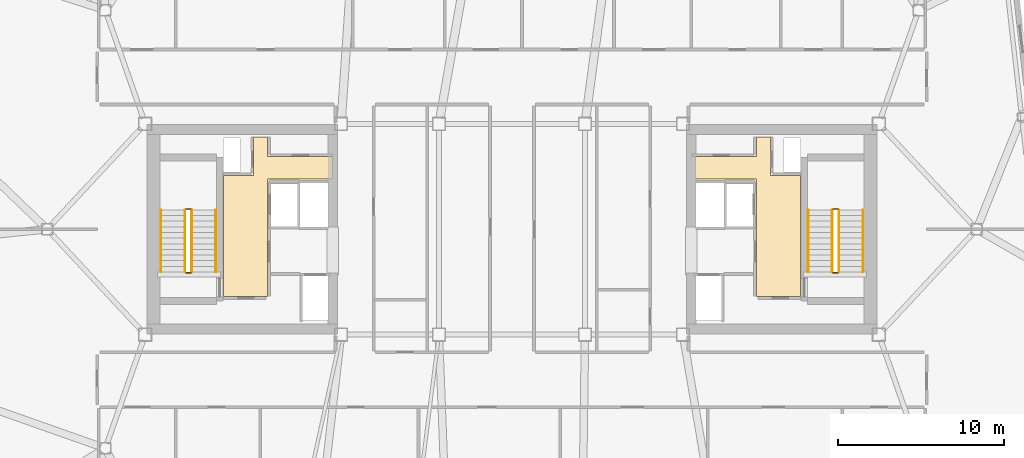
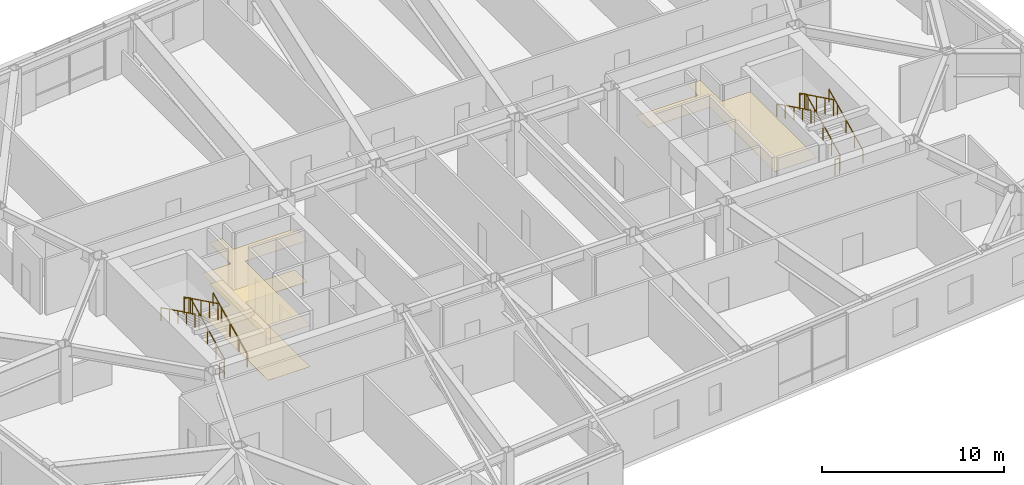
# One storey, part 18 of 18: 12 railings, 3 coverings.
"""IFC4 building model written with IfcOpenShell, lengths in metres."""

import ifcopenshell
import ifcopenshell.guid

model = None  # the IFC model being written
_history = None  # IfcOwnerHistory: only IFC2X3 demands one
_inside = {}  # id of a spatial element -> (the spatial element, [elements in it])
_under = {}  # id of a project, library or spatial element -> (it, [spatial elements below it])
_declared = {}  # id of a project -> (the project, [libraries it declares])
_typed = {}  # id of a type object -> (the type object, [elements of that type])
_made_of = {}  # id of a material, layer set ... -> (it, [elements and type objects made of it])


def new_model(schema):
    """Start an empty IFC model of exactly this schema.

    Asked for "IFC4X3", IfcOpenShell would pick the latest addendum, in which some entities
    have other attributes; the version numbers below select the first issue.
    IFC2X3 requires an IfcOwnerHistory on every rooted entity: one is made here for all.
    """
    global model, _history
    if schema == "IFC4X3":
        model = ifcopenshell.file(schema_version=(4, 3, 0, 0))
    else:
        model = ifcopenshell.file(schema=schema)
    _inside.clear()
    _under.clear()
    _declared.clear()
    _typed.clear()
    _made_of.clear()
    _history = None
    if model.schema == "IFC2X3":
        org = make("IfcOrganization", Name="unknown")
        user = make(
            "IfcPersonAndOrganization",
            ThePerson=make("IfcPerson", FamilyName="unknown"),
            TheOrganization=org,
        )
        app = make(
            "IfcApplication",
            ApplicationDeveloper=org,
            Version="unknown",
            ApplicationFullName="unknown",
            ApplicationIdentifier="unknown",
        )
        _history = make(
            "IfcOwnerHistory",
            OwningUser=user,
            OwningApplication=app,
            ChangeAction="ADDED",
            CreationDate=0,
        )
    return model


def make(cls, **values):
    """One entity of the class cls with the attributes given. An attribute that is None is left unset."""
    return model.create_entity(
        cls, **{name: value for name, value in values.items() if value is not None}
    )


def rooted(cls, **values):
    """An entity with a GlobalId (a new one), such as an element, a storey or a relation."""
    return make(cls, GlobalId=ifcopenshell.guid.new(), OwnerHistory=_history, **values)


def si_unit(unit_type, name, prefix=None):
    """IfcSIUnit, for example si_unit("LENGTHUNIT", "METRE", prefix="MILLI")."""
    return make("IfcSIUnit", UnitType=unit_type, Prefix=prefix, Name=name)


def assignment(units):
    """IfcUnitAssignment: the units of a project."""
    return None if units is None else make("IfcUnitAssignment", Units=units)


def point(xyz):
    """IfcCartesianPoint."""
    return None if xyz is None else make("IfcCartesianPoint", Coordinates=xyz)


def direction(xyz):
    """IfcDirection."""
    return None if xyz is None else make("IfcDirection", DirectionRatios=xyz)


def frame(location, z_axis=None, x_axis=None):
    """IfcAxis2Placement3D, a coordinate frame: its origin and axes. An axis left out is left unset."""
    return make(
        "IfcAxis2Placement3D",
        Location=point(location),
        Axis=direction(z_axis),
        RefDirection=direction(x_axis),
    )


def frame_2d(location, x_axis=None):
    """IfcAxis2Placement2D, a coordinate frame in the plane: its origin and x axis."""
    return make(
        "IfcAxis2Placement2D", Location=point(location), RefDirection=direction(x_axis)
    )


def origin():
    """The frame at (0, 0, 0) with its axes left unset."""
    return frame((0.0, 0.0, 0.0))


def origin_2d():
    """The frame at (0, 0) in the plane with its x axis left unset."""
    return frame_2d((0.0, 0.0))


def place(relative_to, where):
    """IfcLocalPlacement: puts the frame where relative to a parent placement (None: the world)."""
    return make(
        "IfcLocalPlacement", PlacementRelTo=relative_to, RelativePlacement=where
    )


def context(
    kind, dimensions, precision=None, world=None, true_north=None, identifier=None
):
    """IfcGeometricRepresentationContext, for example the 3D "Model" context."""
    return make(
        "IfcGeometricRepresentationContext",
        ContextIdentifier=identifier,
        ContextType=kind,
        CoordinateSpaceDimension=dimensions,
        Precision=precision,
        WorldCoordinateSystem=world,
        TrueNorth=true_north,
    )


def subcontext(parent, identifier, kind, view, scale=None):
    """IfcGeometricRepresentationSubContext, for example "Body" below "Model"."""
    return make(
        "IfcGeometricRepresentationSubContext",
        ContextIdentifier=identifier,
        ContextType=kind,
        ParentContext=parent,
        TargetScale=scale,
        TargetView=view,
    )


def project(units=None, contexts=None):
    """IfcProject with its units and contexts."""
    return rooted(
        "IfcProject",
        Name="project",
        RepresentationContexts=contexts,
        UnitsInContext=assignment(units),
    )


def spatial(cls, under=None, at=None, **own):
    """A site, building, storey or space (cls), placed at a placement, below another one or the project."""
    s = rooted(cls, ObjectPlacement=at, **own)
    if under is not None:
        _under.setdefault(under.id(), (under, []))[1].append(s)
    return s


def polyline(points):
    """IfcPolyline through the points."""
    return make("IfcPolyline", Points=[point(p) for p in points])


def profile(cls, at=None, kind="AREA", **sizes):
    """A parametric profile (cls). Its sizes go by their IFC names, for example OverallWidth=200.0."""
    return make(cls, ProfileType=kind, Position=at, **sizes)


def rectangle(**sizes):
    """IfcRectangleProfileDef."""
    return profile("IfcRectangleProfileDef", **sizes)


def outline(outer, holes=None, kind="AREA"):
    """IfcArbitraryClosedProfileDef: a profile drawn as a closed curve; with holes, ...WithVoids."""
    if holes is None:
        return make("IfcArbitraryClosedProfileDef", ProfileType=kind, OuterCurve=outer)
    return make(
        "IfcArbitraryProfileDefWithVoids",
        ProfileType=kind,
        OuterCurve=outer,
        InnerCurves=holes,
    )


def extrude(swept, where, along, depth):
    """IfcExtrudedAreaSolid: the profile swept, set in the frame where, extruded along a direction by depth."""
    return make(
        "IfcExtrudedAreaSolid",
        SweptArea=swept,
        Position=where,
        ExtrudedDirection=direction(along),
        Depth=depth,
    )


def shape(context_of_items, identifier, shape_type, items):
    """IfcShapeRepresentation: the items that make up one representation, for example the "Body"."""
    return make(
        "IfcShapeRepresentation",
        ContextOfItems=context_of_items,
        RepresentationIdentifier=identifier,
        RepresentationType=shape_type,
        Items=items,
    )


def material(Name=None, Category=None):
    """IfcMaterial."""
    return make("IfcMaterial", Name=Name, Category=Category)


def layer(
    of_material, thickness, ventilated=None, Name=None, Category=None, Priority=None
):
    """IfcMaterialLayer: one layer of a wall or slab, of a material (None: an air gap)."""
    return make(
        "IfcMaterialLayer",
        Material=of_material,
        LayerThickness=thickness,
        IsVentilated=ventilated,
        Name=Name,
        Category=Category,
        Priority=Priority,
    )


def layer_set(layers, Name=None):
    """IfcMaterialLayerSet."""
    return make("IfcMaterialLayerSet", MaterialLayers=layers, LayerSetName=Name)


def made_of(thing, what):
    """Note that an element or type object is made of a material, layer set ...; save() writes the relation."""
    if what is not None:
        _made_of.setdefault(what.id(), (what, []))[1].append(thing)
    return thing


def type_object(cls, material=None, **own):
    """A type object (cls), such as IfcWallType, which elements share."""
    return made_of(rooted(cls, **own), material)


def element(
    cls,
    number,
    at=None,
    inside=None,
    cuts=None,
    type_object=None,
    material=None,
    context=None,
    identifier="Body",
    shape_type=None,
    held_by="IfcProductDefinitionShape",
    body=None,
    shapes=None,
    **own,
):
    """One element of the class cls, such as IfcWall. Its Tag is "e" and its number.

    at: its placement. inside: the storey or other place that contains it. cuts: it is an
    opening in that element (IfcRelVoidsElement). A single representation is given by context,
    identifier, shape_type and body (its items); several are given by shapes. held_by: the class
    of the entity that holds the representations. save() writes the other relations.
    """
    e = rooted(cls, Tag="e%d" % number, ObjectPlacement=at, **own)
    if body is not None:
        shapes = [shape(context, identifier, shape_type, body)]
    if shapes is not None:
        e.Representation = make(held_by, Representations=shapes)
    if inside is not None:
        _inside.setdefault(inside.id(), (inside, []))[1].append(e)
    if cuts is not None:
        rooted(
            "IfcRelVoidsElement", RelatingBuildingElement=cuts, RelatedOpeningElement=e
        )
    if type_object is not None:
        _typed.setdefault(type_object.id(), (type_object, []))[1].append(e)
    return made_of(e, material)


def aggregate(whole, parts):
    """IfcRelAggregates: a whole, such as a stair, and the parts it consists of."""
    return rooted("IfcRelAggregates", RelatingObject=whole, RelatedObjects=parts)


def save(model, path):
    """Write the relations noted so far, then the file.

    IfcRelAggregates (storeys below a building ...), IfcRelContainedInSpatialStructure (elements
    in a storey), IfcRelDefinesByType, IfcRelAssociatesMaterial and IfcRelDeclares: one each for
    every whole, place, type object, material and project.
    """
    for whole, parts in _under.values():
        aggregate(whole, parts)
    for where, things in _inside.values():
        rooted(
            "IfcRelContainedInSpatialStructure",
            RelatedElements=things,
            RelatingStructure=where,
        )
    for kind, things in _typed.values():
        rooted("IfcRelDefinesByType", RelatedObjects=things, RelatingType=kind)
    for what, things in _made_of.values():
        rooted("IfcRelAssociatesMaterial", RelatedObjects=things, RelatingMaterial=what)
    for by, libraries in _declared.values():
        rooted("IfcRelDeclares", RelatingContext=by, RelatedDefinitions=libraries)
    model.write(path)


model = new_model("IFC4")

# Units and contexts
model_context = context("Model", 3, precision=1e-05, world=origin(), true_north=direction((0.0, 1.0)))
body_context = subcontext(model_context, "Body", "Model", "MODEL_VIEW")
ifc_project = project(units=[si_unit("LENGTHUNIT", "METRE"), si_unit("AREAUNIT", "SQUARE_METRE"), si_unit("VOLUMEUNIT", "CUBIC_METRE"), si_unit("PLANEANGLEUNIT", "RADIAN"), si_unit("MASSUNIT", "GRAM", prefix="KILO")], contexts=[model_context])

# Site, building, storey
site_placement = place(None, origin())
site = spatial("IfcSite", under=ifc_project, at=site_placement, CompositionType="ELEMENT")
building_placement = place(site_placement, origin())
building = spatial("IfcBuilding", under=site, at=building_placement, Name="Tavrogorsk Clinical Tower", CompositionType="ELEMENT")
storey_placement = place(building_placement, frame((0.0, 0.0, 226.199951171875)))
storey = spatial("IfcBuildingStorey", under=building, at=storey_placement, Name="L52", CompositionType="ELEMENT", Elevation=226.199951171875)

# Coverings
ifc_material_1 = material(Name="Antibacterial micro-perforated aluminium ceiling", Category="aluminium")
ifc_layer_1 = layer(ifc_material_1, 0.014892578125)
ifc_layer_set_1 = layer_set([ifc_layer_1], Name="Antibacterial micro-perforated aluminium ceiling")
covering_type_1 = type_object("IfcCoveringType", Name="ClinicalCeiling_15", PredefinedType="CEILING", material=ifc_layer_set_1)
covering_1_placement = place(storey_placement, frame((0.0, 0.0, 2.75)))
element("IfcCovering", 1, at=covering_1_placement, inside=storey, type_object=covering_type_1, Name="Core West Firefighting Lift Lobby Acoustic Ceiling", PredefinedType="CEILING", context=body_context, shape_type="SweptSolid", body=[
    extrude(outline(polyline([(-14.719970703125, 4.3798828125), (-10.800048828125, 4.3798828125), (-10.800048828125, 3.0400390625), (-14.719970703125, 3.0400390625), (-14.719970703125, -4.06005859375), (-17.3798828125, -4.06005859375), (-17.3798828125, 3.239990234375), (-15.56005859375, 3.239990234375), (-15.56005859375, 5.56005859375), (-14.719970703125, 5.56005859375), (-14.719970703125, 4.3798828125)])), origin(), (0.0, 0.0, 1.0), 0.01513671875),
])
covering_2_placement = place(storey_placement, frame((0.0, 0.0, 2.75)))
element("IfcCovering", 2, at=covering_2_placement, inside=storey, type_object=covering_type_1, Name="Core East Firefighting Lift Lobby Acoustic Ceiling", PredefinedType="CEILING", context=body_context, shape_type="SweptSolid", body=[
    extrude(outline(polyline([(14.719970703125, -4.06005859375), (14.719970703125, 3.0400390625), (10.800048828125, 3.0400390625), (10.800048828125, 4.3798828125), (14.719970703125, 4.3798828125), (14.719970703125, 5.56005859375), (15.56005859375, 5.56005859375), (15.56005859375, 3.239990234375), (17.3798828125, 3.239990234375), (17.3798828125, -4.06005859375), (14.719970703125, -4.06005859375)])), origin(), (0.0, 0.0, 1.0), 0.01513671875),
])
ifc_material_2 = material(Name="Homogeneous medical conductive PVC flooring")
ifc_layer_2 = layer(ifc_material_2, 0.008056640625)
ifc_layer_set_2 = layer_set([ifc_layer_2], Name="Homogeneous medical conductive PVC flooring")
covering_type_2 = type_object("IfcCoveringType", Name="ResilientVinylFloor_8", PredefinedType="FLOORING", material=ifc_layer_set_2)
covering_3_placement = place(storey_placement, origin())
element("IfcCovering", 3, at=covering_3_placement, inside=storey, type_object=covering_type_2, Name="Core West Firefighting Lift Lobby Conductive Vinyl Flooring", PredefinedType="FLOORING", context=body_context, shape_type="SweptSolid", body=[
    extrude(outline(polyline([(-14.719970703125, 4.3798828125), (-10.800048828125, 4.3798828125), (-10.800048828125, 3.0400390625), (-14.719970703125, 3.0400390625), (-14.719970703125, -4.06005859375), (-17.3798828125, -4.06005859375), (-17.3798828125, 3.239990234375), (-15.56005859375, 3.239990234375), (-15.56005859375, 5.56005859375), (-14.719970703125, 5.56005859375), (-14.719970703125, 4.3798828125)])), origin(), (0.0, 0.0, 1.0), 0.008056640625),
])

# Railings
ifc_material_3 = material(Name="Galvanised steel S355 safety stairwell guard", Category="steel")
ifc_layer_3 = layer(ifc_material_3, 0.06005859375)
ifc_layer_set_3 = layer_set([ifc_layer_3], Name="Galvanised steel S355 safety stairwell guard")
railing_type_1 = type_object("IfcRailingType", Name="StairGuard_1150", PredefinedType="GUARDRAIL", material=ifc_layer_set_3)
railing_1_placement = place(storey_placement, frame((-19.300048828125, -2.574951171875, 0.166748046875)))
element("IfcRailing", 4, at=railing_1_placement, inside=storey, type_object=railing_type_1, Name="L52 ST-W stair guard 1", PredefinedType="GUARDRAIL", context=body_context, shape_type="SweptSolid", body=[
    extrude(rectangle(XDim=0.048095703125, YDim=0.048095703125, at=origin_2d()), frame((0.0, 0.0, 1.076171875), z_axis=(0.0, 0.897927990467, 0.440142390523), x_axis=(-1.0, 0.0, 0.0)), (0.0, 0.0, 1.0), 4.1650390625),
    extrude(rectangle(XDim=0.0419921875, YDim=0.0419921875, at=origin_2d()), origin(), (0.0, 0.0, 1.0), 1.052001953125),
    extrude(rectangle(XDim=0.0419921875, YDim=0.0419921875, at=origin_2d()), frame((0.0, 0.93505859375, 0.458251953125)), (0.0, 0.0, 1.0), 1.052001953125),
    extrude(rectangle(XDim=0.0419921875, YDim=0.0419921875, at=origin_2d()), frame((0.0, 1.8701171875, 0.91650390625)), (0.0, 0.0, 1.0), 1.052001953125),
    extrude(rectangle(XDim=0.0419921875, YDim=0.0419921875, at=origin_2d()), frame((0.0, 2.804931640625, 1.375)), (0.0, 0.0, 1.0), 1.052001953125),
    extrude(rectangle(XDim=0.0419921875, YDim=0.0419921875, at=origin_2d()), frame((0.0, 3.739990234375, 1.833251953125)), (0.0, 0.0, 1.0), 1.052001953125),
])
railing_2_placement = place(storey_placement, frame((-19.35009765625, 1.215087890625, 2.0)))
element("IfcRailing", 5, at=railing_2_placement, inside=storey, type_object=railing_type_1, Name="L52 ST-W stair guard 2", PredefinedType="GUARDRAIL", context=body_context, shape_type="SweptSolid", body=[
    extrude(rectangle(XDim=0.048095703125, YDim=0.048095703125, at=origin_2d()), frame((0.0, 0.0, 1.076171875), z_axis=(-1.0, 0.0, 0.0), x_axis=(0.0, -1.0, 0.0)), (0.0, 0.0, 1.0), 0.2998046875),
    extrude(rectangle(XDim=0.0419921875, YDim=0.0419921875, at=origin_2d()), origin(), (0.0, 0.0, 1.0), 1.052001953125),
    extrude(rectangle(XDim=0.0419921875, YDim=0.0419921875, at=origin_2d()), frame((-0.2998046875, 0.0, 0.0)), (0.0, 0.0, 1.0), 1.052001953125),
])
railing_3_placement = place(storey_placement, frame((-19.699951171875, 1.1650390625, 2.166748046875)))
element("IfcRailing", 6, at=railing_3_placement, inside=storey, type_object=railing_type_1, Name="L52 ST-W stair guard 3", PredefinedType="GUARDRAIL", context=body_context, shape_type="SweptSolid", body=[
    extrude(rectangle(XDim=0.048095703125, YDim=0.048095703125, at=origin_2d()), frame((0.0, 0.0, 1.076171875), z_axis=(0.0, -0.897927990467, 0.440142390523), x_axis=(1.0, 0.0, 0.0)), (0.0, 0.0, 1.0), 4.1650390625),
    extrude(rectangle(XDim=0.0419921875, YDim=0.0419921875, at=origin_2d()), origin(), (0.0, 0.0, 1.0), 1.052001953125),
    extrude(rectangle(XDim=0.0419921875, YDim=0.0419921875, at=origin_2d()), frame((0.0, -0.93505859375, 0.458251953125)), (0.0, 0.0, 1.0), 1.052001953125),
    extrude(rectangle(XDim=0.0419921875, YDim=0.0419921875, at=origin_2d()), frame((0.0, -1.8701171875, 0.91650390625)), (0.0, 0.0, 1.0), 1.052001953125),
    extrude(rectangle(XDim=0.0419921875, YDim=0.0419921875, at=origin_2d()), frame((0.0, -2.804931640625, 1.375)), (0.0, 0.0, 1.0), 1.052001953125),
    extrude(rectangle(XDim=0.0419921875, YDim=0.0419921875, at=origin_2d()), frame((0.0, -3.739990234375, 1.833251953125)), (0.0, 0.0, 1.0), 1.052001953125),
])
railing_4_placement = place(storey_placement, frame((-19.35009765625, -2.625, 0.0)))
element("IfcRailing", 7, at=railing_4_placement, inside=storey, type_object=railing_type_1, Name="L52 ST-W stair guard 4", PredefinedType="GUARDRAIL", context=body_context, shape_type="SweptSolid", body=[
    extrude(rectangle(XDim=0.048095703125, YDim=0.048095703125, at=origin_2d()), frame((0.0, 0.0, 1.076171875), z_axis=(-1.0, 0.0, 0.0), x_axis=(0.0, -1.0, 0.0)), (0.0, 0.0, 1.0), 0.2998046875),
    extrude(rectangle(XDim=0.0419921875, YDim=0.0419921875, at=origin_2d()), origin(), (0.0, 0.0, 1.0), 1.052001953125),
    extrude(rectangle(XDim=0.0419921875, YDim=0.0419921875, at=origin_2d()), frame((-0.2998046875, 0.0, 0.0)), (0.0, 0.0, 1.0), 1.052001953125),
])
railing_5_placement = place(storey_placement, frame((19.699951171875, -2.574951171875, 0.166748046875)))
element("IfcRailing", 8, at=railing_5_placement, inside=storey, type_object=railing_type_1, Name="L52 ST-E stair guard 1", PredefinedType="GUARDRAIL", context=body_context, shape_type="SweptSolid", body=[
    extrude(rectangle(XDim=0.048095703125, YDim=0.048095703125, at=origin_2d()), frame((0.0, 0.0, 1.076171875), z_axis=(0.0, 0.897927990467, 0.440142390523), x_axis=(-1.0, 0.0, 0.0)), (0.0, 0.0, 1.0), 4.1650390625),
    extrude(rectangle(XDim=0.0419921875, YDim=0.0419921875, at=origin_2d()), origin(), (0.0, 0.0, 1.0), 1.052001953125),
    extrude(rectangle(XDim=0.0419921875, YDim=0.0419921875, at=origin_2d()), frame((0.0, 0.93505859375, 0.458251953125)), (0.0, 0.0, 1.0), 1.052001953125),
    extrude(rectangle(XDim=0.0419921875, YDim=0.0419921875, at=origin_2d()), frame((0.0, 1.8701171875, 0.91650390625)), (0.0, 0.0, 1.0), 1.052001953125),
    extrude(rectangle(XDim=0.0419921875, YDim=0.0419921875, at=origin_2d()), frame((0.0, 2.804931640625, 1.375)), (0.0, 0.0, 1.0), 1.052001953125),
    extrude(rectangle(XDim=0.0419921875, YDim=0.0419921875, at=origin_2d()), frame((0.0, 3.739990234375, 1.833251953125)), (0.0, 0.0, 1.0), 1.052001953125),
])
railing_6_placement = place(storey_placement, frame((19.64990234375, 1.215087890625, 2.0)))
element("IfcRailing", 9, at=railing_6_placement, inside=storey, type_object=railing_type_1, Name="L52 ST-E stair guard 2", PredefinedType="GUARDRAIL", context=body_context, shape_type="SweptSolid", body=[
    extrude(rectangle(XDim=0.048095703125, YDim=0.048095703125, at=origin_2d()), frame((0.0, 0.0, 1.076171875), z_axis=(-1.0, 0.0, 0.0), x_axis=(0.0, -1.0, 0.0)), (0.0, 0.0, 1.0), 0.2998046875),
    extrude(rectangle(XDim=0.0419921875, YDim=0.0419921875, at=origin_2d()), origin(), (0.0, 0.0, 1.0), 1.052001953125),
    extrude(rectangle(XDim=0.0419921875, YDim=0.0419921875, at=origin_2d()), frame((-0.2998046875, 0.0, 0.0)), (0.0, 0.0, 1.0), 1.052001953125),
])
railing_7_placement = place(storey_placement, frame((19.300048828125, 1.1650390625, 2.166748046875)))
element("IfcRailing", 10, at=railing_7_placement, inside=storey, type_object=railing_type_1, Name="L52 ST-E stair guard 3", PredefinedType="GUARDRAIL", context=body_context, shape_type="SweptSolid", body=[
    extrude(rectangle(XDim=0.048095703125, YDim=0.048095703125, at=origin_2d()), frame((0.0, 0.0, 1.076171875), z_axis=(0.0, -0.897927990467, 0.440142390523), x_axis=(1.0, 0.0, 0.0)), (0.0, 0.0, 1.0), 4.1650390625),
    extrude(rectangle(XDim=0.0419921875, YDim=0.0419921875, at=origin_2d()), origin(), (0.0, 0.0, 1.0), 1.052001953125),
    extrude(rectangle(XDim=0.0419921875, YDim=0.0419921875, at=origin_2d()), frame((0.0, -0.93505859375, 0.458251953125)), (0.0, 0.0, 1.0), 1.052001953125),
    extrude(rectangle(XDim=0.0419921875, YDim=0.0419921875, at=origin_2d()), frame((0.0, -1.8701171875, 0.91650390625)), (0.0, 0.0, 1.0), 1.052001953125),
    extrude(rectangle(XDim=0.0419921875, YDim=0.0419921875, at=origin_2d()), frame((0.0, -2.804931640625, 1.375)), (0.0, 0.0, 1.0), 1.052001953125),
    extrude(rectangle(XDim=0.0419921875, YDim=0.0419921875, at=origin_2d()), frame((0.0, -3.739990234375, 1.833251953125)), (0.0, 0.0, 1.0), 1.052001953125),
])
railing_8_placement = place(storey_placement, frame((19.64990234375, -2.625, 0.0)))
element("IfcRailing", 11, at=railing_8_placement, inside=storey, type_object=railing_type_1, Name="L52 ST-E stair guard 4", PredefinedType="GUARDRAIL", context=body_context, shape_type="SweptSolid", body=[
    extrude(rectangle(XDim=0.048095703125, YDim=0.048095703125, at=origin_2d()), frame((0.0, 0.0, 1.076171875), z_axis=(-1.0, 0.0, 0.0), x_axis=(0.0, -1.0, 0.0)), (0.0, 0.0, 1.0), 0.2998046875),
    extrude(rectangle(XDim=0.0419921875, YDim=0.0419921875, at=origin_2d()), origin(), (0.0, 0.0, 1.0), 1.052001953125),
    extrude(rectangle(XDim=0.0419921875, YDim=0.0419921875, at=origin_2d()), frame((-0.2998046875, 0.0, 0.0)), (0.0, 0.0, 1.0), 1.052001953125),
])
ifc_material_4 = material(Name="Stainless steel AISI 304 tubular handrail", Category="steel")
ifc_layer_4 = layer(ifc_material_4, 0.050048828125)
ifc_layer_set_4 = layer_set([ifc_layer_4], Name="Stainless steel AISI 304 tubular handrail")
railing_type_2 = type_object("IfcRailingType", Name="StairHandrail_920", PredefinedType="HANDRAIL", material=ifc_layer_set_4)
railing_9_placement = place(storey_placement, frame((-17.85009765625, -2.574951171875, 0.166748046875)))
element("IfcRailing", 12, at=railing_9_placement, inside=storey, type_object=railing_type_2, Name="L52 ST-W stair handrail 1", PredefinedType="HANDRAIL", context=body_context, shape_type="SweptSolid", body=[
    extrude(rectangle(XDim=0.048095703125, YDim=0.048095703125, at=origin_2d()), frame((0.0, 0.0, 0.8759765625), z_axis=(0.0, 0.897927990467, 0.440142390523), x_axis=(-1.0, 0.0, 0.0)), (0.0, 0.0, 1.0), 4.1650390625),
    extrude(rectangle(XDim=0.0419921875, YDim=0.0419921875, at=origin_2d()), origin(), (0.0, 0.0, 1.0), 0.851806640625),
    extrude(rectangle(XDim=0.0419921875, YDim=0.0419921875, at=origin_2d()), frame((0.0, 0.93505859375, 0.458251953125)), (0.0, 0.0, 1.0), 0.851806640625),
    extrude(rectangle(XDim=0.0419921875, YDim=0.0419921875, at=origin_2d()), frame((0.0, 1.8701171875, 0.91650390625)), (0.0, 0.0, 1.0), 0.851806640625),
    extrude(rectangle(XDim=0.0419921875, YDim=0.0419921875, at=origin_2d()), frame((0.0, 2.804931640625, 1.375)), (0.0, 0.0, 1.0), 0.851806640625),
    extrude(rectangle(XDim=0.0419921875, YDim=0.0419921875, at=origin_2d()), frame((0.0, 3.739990234375, 1.833251953125)), (0.0, 0.0, 1.0), 0.851806640625),
])
railing_10_placement = place(storey_placement, frame((-21.14990234375, 1.1650390625, 2.166748046875)))
element("IfcRailing", 13, at=railing_10_placement, inside=storey, type_object=railing_type_2, Name="L52 ST-W stair handrail 2", PredefinedType="HANDRAIL", context=body_context, shape_type="SweptSolid", body=[
    extrude(rectangle(XDim=0.048095703125, YDim=0.048095703125, at=origin_2d()), frame((0.0, 0.0, 0.8759765625), z_axis=(0.0, -0.897927990467, 0.440142390523), x_axis=(1.0, 0.0, 0.0)), (0.0, 0.0, 1.0), 4.1650390625),
    extrude(rectangle(XDim=0.0419921875, YDim=0.0419921875, at=origin_2d()), origin(), (0.0, 0.0, 1.0), 0.851806640625),
    extrude(rectangle(XDim=0.0419921875, YDim=0.0419921875, at=origin_2d()), frame((0.0, -0.93505859375, 0.458251953125)), (0.0, 0.0, 1.0), 0.851806640625),
    extrude(rectangle(XDim=0.0419921875, YDim=0.0419921875, at=origin_2d()), frame((0.0, -1.8701171875, 0.91650390625)), (0.0, 0.0, 1.0), 0.851806640625),
    extrude(rectangle(XDim=0.0419921875, YDim=0.0419921875, at=origin_2d()), frame((0.0, -2.804931640625, 1.375)), (0.0, 0.0, 1.0), 0.851806640625),
    extrude(rectangle(XDim=0.0419921875, YDim=0.0419921875, at=origin_2d()), frame((0.0, -3.739990234375, 1.833251953125)), (0.0, 0.0, 1.0), 0.851806640625),
])
railing_11_placement = place(storey_placement, frame((21.14990234375, -2.574951171875, 0.166748046875)))
element("IfcRailing", 14, at=railing_11_placement, inside=storey, type_object=railing_type_2, Name="L52 ST-E stair handrail 1", PredefinedType="HANDRAIL", context=body_context, shape_type="SweptSolid", body=[
    extrude(rectangle(XDim=0.048095703125, YDim=0.048095703125, at=origin_2d()), frame((0.0, 0.0, 0.8759765625), z_axis=(0.0, 0.897927990467, 0.440142390523), x_axis=(-1.0, 0.0, 0.0)), (0.0, 0.0, 1.0), 4.1650390625),
    extrude(rectangle(XDim=0.0419921875, YDim=0.0419921875, at=origin_2d()), origin(), (0.0, 0.0, 1.0), 0.851806640625),
    extrude(rectangle(XDim=0.0419921875, YDim=0.0419921875, at=origin_2d()), frame((0.0, 0.93505859375, 0.458251953125)), (0.0, 0.0, 1.0), 0.851806640625),
    extrude(rectangle(XDim=0.0419921875, YDim=0.0419921875, at=origin_2d()), frame((0.0, 1.8701171875, 0.91650390625)), (0.0, 0.0, 1.0), 0.851806640625),
    extrude(rectangle(XDim=0.0419921875, YDim=0.0419921875, at=origin_2d()), frame((0.0, 2.804931640625, 1.375)), (0.0, 0.0, 1.0), 0.851806640625),
    extrude(rectangle(XDim=0.0419921875, YDim=0.0419921875, at=origin_2d()), frame((0.0, 3.739990234375, 1.833251953125)), (0.0, 0.0, 1.0), 0.851806640625),
])
railing_12_placement = place(storey_placement, frame((17.85009765625, 1.1650390625, 2.166748046875)))
element("IfcRailing", 15, at=railing_12_placement, inside=storey, type_object=railing_type_2, Name="L52 ST-E stair handrail 2", PredefinedType="HANDRAIL", context=body_context, shape_type="SweptSolid", body=[
    extrude(rectangle(XDim=0.048095703125, YDim=0.048095703125, at=origin_2d()), frame((0.0, 0.0, 0.8759765625), z_axis=(0.0, -0.897927990467, 0.440142390523), x_axis=(1.0, 0.0, 0.0)), (0.0, 0.0, 1.0), 4.1650390625),
    extrude(rectangle(XDim=0.0419921875, YDim=0.0419921875, at=origin_2d()), origin(), (0.0, 0.0, 1.0), 0.851806640625),
    extrude(rectangle(XDim=0.0419921875, YDim=0.0419921875, at=origin_2d()), frame((0.0, -0.93505859375, 0.458251953125)), (0.0, 0.0, 1.0), 0.851806640625),
    extrude(rectangle(XDim=0.0419921875, YDim=0.0419921875, at=origin_2d()), frame((0.0, -1.8701171875, 0.91650390625)), (0.0, 0.0, 1.0), 0.851806640625),
    extrude(rectangle(XDim=0.0419921875, YDim=0.0419921875, at=origin_2d()), frame((0.0, -2.804931640625, 1.375)), (0.0, 0.0, 1.0), 0.851806640625),
    extrude(rectangle(XDim=0.0419921875, YDim=0.0419921875, at=origin_2d()), frame((0.0, -3.739990234375, 1.833251953125)), (0.0, 0.0, 1.0), 0.851806640625),
])

save(model, "model.ifc")
